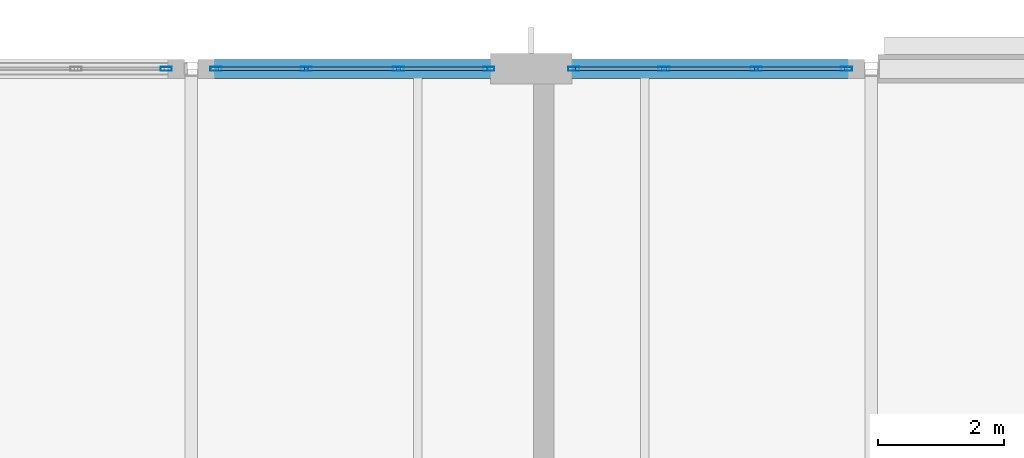
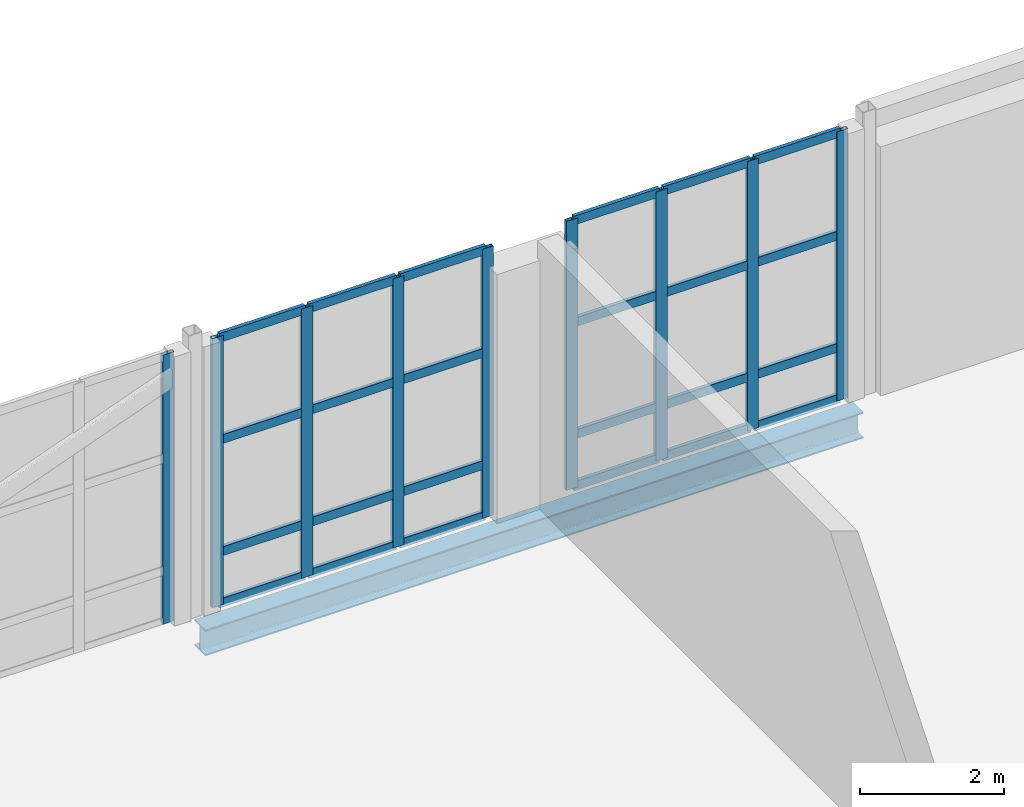
# One storey, part 49 of 86: 33 members, 1 beam, 3 elements without a shape of their own.
"""IFC4 building model written with IfcOpenShell, lengths in metres."""

from ifc_helpers import new_model, si_unit, direction, frame, origin, origin_2d, place, context, subcontext, project, spatial, hollow_rectangle, i_section, extrude, material, layer, layer_set, material_profile, profile_set, type_object, element, aggregate, save


model = new_model("IFC4")

# Units and contexts
model_context = context("Model", 3, precision=1e-05, world=origin(), true_north=direction((0.0, 1.0)))
body_context = subcontext(model_context, "Body", "Model", "MODEL_VIEW")
ifc_project = project(units=[si_unit("LENGTHUNIT", "METRE"), si_unit("AREAUNIT", "SQUARE_METRE"), si_unit("VOLUMEUNIT", "CUBIC_METRE"), si_unit("PLANEANGLEUNIT", "RADIAN"), si_unit("MASSUNIT", "GRAM", prefix="KILO")], contexts=[model_context])

# Site, building, storey
site_placement = place(None, origin())
site = spatial("IfcSite", under=ifc_project, at=site_placement, CompositionType="ELEMENT")
building_placement = place(site_placement, origin())
building = spatial("IfcBuilding", under=site, at=building_placement, Name="Tasgan Crest Museum", CompositionType="ELEMENT")
storey_placement = place(building_placement, frame((0.0, 0.0, 24.0)))
storey = spatial("IfcBuildingStorey", under=building, at=storey_placement, Name="L04", CompositionType="ELEMENT", Elevation=24.0)

# Beam
ifc_material_1 = material(Name="Steel S355J2", Category="steel")
ifc_material_profile_1 = material_profile(ifc_material_1, i_section(OverallWidth=0.300048828125, OverallDepth=0.43994140625, WebThickness=0.011474609375, FlangeThickness=0.02099609375, FilletRadius=0.027099609375, at=origin_2d()), Name="HEA 450")
ifc_profile_set_1 = profile_set([ifc_material_profile_1], Name="Steel S355J2")
beam_type = type_object("IfcBeamType", Name="BM-G-HEA450", PredefinedType="BEAM", material=ifc_profile_set_1)
beam_placement = place(storey_placement, frame((32.52587890625, 112.0, -0.4599609375), z_axis=(1.0, 0.0, 0.0), x_axis=(0.0, 1.0, 0.0)))
element("IfcBeam", 1, at=beam_placement, inside=storey, type_object=beam_type, Name="Girder L04 M 32.4-43.2", PredefinedType="BEAM", context=body_context, shape_type="SweptSolid", body=[
    extrude(i_section(OverallWidth=0.300048828125, OverallDepth=0.43994140625, WebThickness=0.011474609375, FlangeThickness=0.02099609375, FilletRadius=0.027099609375, at=origin_2d()), origin(), (0.0, 0.0, 1.0), 10.548095703125),
])

# Curtain wall, members
ifc_material_2 = material(Name="Triple-Glazed Aluminium Curtain Wall", Category="aluminium")
ifc_layer = layer(ifc_material_2, 0.179931640625, Name="CW-GAL-X-48")
ifc_layer_set = layer_set([ifc_layer], Name="Triple-Glazed Aluminium Curtain Wall")
curtain_wall_type = type_object("IfcCurtainWallType", Name="CW-GAL-X-48", PredefinedType="NOTDEFINED", material=ifc_layer_set)
curtain_wall_1_placement = place(storey_placement, origin())
curtain_wall_1 = element("IfcCurtainWall", 2, at=curtain_wall_1_placement, inside=storey, type_object=curtain_wall_type, Name="Curtain wall L04 165", PredefinedType="NOTDEFINED")
ifc_material_3 = material(Name="Anodised Aluminium", Category="aluminium")
ifc_material_profile_2 = material_profile(ifc_material_3, hollow_rectangle(XDim=0.06494140625, YDim=0.179931640625, WallThickness=0.0048828125, at=origin_2d()), Name="ALU MULLION 180x65x5")
ifc_profile_set_2 = profile_set([ifc_material_profile_2], Name="Anodised Aluminium")
member_type_1 = type_object("IfcMemberType", Name="CW-MULLION-180", PredefinedType="MULLION", material=ifc_profile_set_2)
member_1_placement = place(storey_placement, frame((42.804931640625, 112.0, 0.0), z_axis=(0.0, 0.0, 1.0), x_axis=(0.0, -1.0, 0.0)))
member_1 = element("IfcMember", 3, at=member_1_placement, type_object=member_type_1, Name="CW13 mullion 1", PredefinedType="MULLION", context=body_context, shape_type="SweptSolid", body=[
    extrude(hollow_rectangle(XDim=0.06494140625, YDim=0.179931640625, WallThickness=0.0048828125, at=origin_2d()), origin(), (0.0, 0.0, 1.0), 4.56005859375),
])
member_2_placement = place(storey_placement, frame((41.37158203125, 112.0, 0.0), z_axis=(0.0, 0.0, 1.0), x_axis=(0.0, -1.0, 0.0)))
member_2 = element("IfcMember", 4, at=member_2_placement, type_object=member_type_1, Name="CW13 mullion 2", PredefinedType="MULLION", context=body_context, shape_type="SweptSolid", body=[
    extrude(hollow_rectangle(XDim=0.06494140625, YDim=0.179931640625, WallThickness=0.0048828125, at=origin_2d()), origin(), (0.0, 0.0, 1.0), 4.56005859375),
])
member_3_placement = place(storey_placement, frame((39.908447265625, 112.0, 0.0), z_axis=(0.0, 0.0, 1.0), x_axis=(0.0, -1.0, 0.0)))
member_3 = element("IfcMember", 5, at=member_3_placement, type_object=member_type_1, Name="CW13 mullion 3", PredefinedType="MULLION", context=body_context, shape_type="SweptSolid", body=[
    extrude(hollow_rectangle(XDim=0.06494140625, YDim=0.179931640625, WallThickness=0.0048828125, at=origin_2d()), origin(), (0.0, 0.0, 1.0), 4.56005859375),
])
member_4_placement = place(storey_placement, frame((38.47509765625, 112.0, 0.0), z_axis=(0.0, 0.0, 1.0), x_axis=(0.0, -1.0, 0.0)))
member_4 = element("IfcMember", 6, at=member_4_placement, type_object=member_type_1, Name="CW13 mullion 4", PredefinedType="MULLION", context=body_context, shape_type="SweptSolid", body=[
    extrude(hollow_rectangle(XDim=0.06494140625, YDim=0.179931640625, WallThickness=0.0048828125, at=origin_2d()), origin(), (0.0, 0.0, 1.0), 4.56005859375),
])

curtain_wall_2_placement = place(storey_placement, origin())
curtain_wall_2 = element("IfcCurtainWall", 7, at=curtain_wall_2_placement, inside=storey, type_object=curtain_wall_type, Name="Curtain wall L04 166", PredefinedType="NOTDEFINED")
member_5_placement = place(storey_placement, frame((37.125, 112.0, 0.0), z_axis=(0.0, 0.0, 1.0), x_axis=(0.0, -1.0, 0.0)))
member_5 = element("IfcMember", 8, at=member_5_placement, type_object=member_type_1, Name="CW13 mullion 1", PredefinedType="MULLION", context=body_context, shape_type="SweptSolid", body=[
    extrude(hollow_rectangle(XDim=0.06494140625, YDim=0.179931640625, WallThickness=0.0048828125, at=origin_2d()), origin(), (0.0, 0.0, 1.0), 4.56005859375),
])
member_6_placement = place(storey_placement, frame((35.691650390625, 112.0, 0.0), z_axis=(0.0, 0.0, 1.0), x_axis=(0.0, -1.0, 0.0)))
member_6 = element("IfcMember", 9, at=member_6_placement, type_object=member_type_1, Name="CW13 mullion 2", PredefinedType="MULLION", context=body_context, shape_type="SweptSolid", body=[
    extrude(hollow_rectangle(XDim=0.06494140625, YDim=0.179931640625, WallThickness=0.0048828125, at=origin_2d()), origin(), (0.0, 0.0, 1.0), 4.56005859375),
])
member_7_placement = place(storey_placement, frame((34.228271484375, 112.0, 0.0), z_axis=(0.0, 0.0, 1.0), x_axis=(0.0, -1.0, 0.0)))
member_7 = element("IfcMember", 10, at=member_7_placement, type_object=member_type_1, Name="CW13 mullion 3", PredefinedType="MULLION", context=body_context, shape_type="SweptSolid", body=[
    extrude(hollow_rectangle(XDim=0.06494140625, YDim=0.179931640625, WallThickness=0.0048828125, at=origin_2d()), origin(), (0.0, 0.0, 1.0), 4.56005859375),
])
member_8_placement = place(storey_placement, frame((32.794921875, 112.0, 0.0), z_axis=(0.0, 0.0, 1.0), x_axis=(0.0, -1.0, 0.0)))
member_8 = element("IfcMember", 11, at=member_8_placement, type_object=member_type_1, Name="CW13 mullion 4", PredefinedType="MULLION", context=body_context, shape_type="SweptSolid", body=[
    extrude(hollow_rectangle(XDim=0.06494140625, YDim=0.179931640625, WallThickness=0.0048828125, at=origin_2d()), origin(), (0.0, 0.0, 1.0), 4.56005859375),
])

# Curtain wall, member
curtain_wall_3_placement = place(storey_placement, origin())
curtain_wall_3 = element("IfcCurtainWall", 12, at=curtain_wall_3_placement, inside=storey, type_object=curtain_wall_type, Name="Curtain wall L04 167", PredefinedType="NOTDEFINED")
member_9_placement = place(storey_placement, frame((32.0048828125, 112.0, 0.0), z_axis=(0.0, 0.0, 1.0), x_axis=(0.0, -1.0, 0.0)))
member_9 = element("IfcMember", 13, at=member_9_placement, type_object=member_type_1, Name="CW13 mullion 1", PredefinedType="MULLION", context=body_context, shape_type="SweptSolid", body=[
    extrude(hollow_rectangle(XDim=0.06494140625, YDim=0.179931640625, WallThickness=0.0048828125, at=origin_2d()), origin(), (0.0, 0.0, 1.0), 4.56005859375),
])
aggregate(curtain_wall_3, [member_9])

# Member
ifc_material_4 = material(Name="Anodised Aluminium", Category="aluminium")
ifc_material_profile_3 = material_profile(ifc_material_4, hollow_rectangle(XDim=0.06005859375, YDim=0.14990234375, WallThickness=0.0048828125, at=origin_2d()), Name="ALU TRANSOM 150x60x5")
ifc_profile_set_3 = profile_set([ifc_material_profile_3], Name="Anodised Aluminium")
member_type_2 = type_object("IfcMemberType", Name="CW-TRANSOM-150", PredefinedType="USERDEFINED", material=ifc_profile_set_3)
member_10_placement = place(storey_placement, frame((42.77490234375, 112.0, 0.030029296875), z_axis=(-1.0, 0.0, 0.0), x_axis=(0.0, -1.0, 0.0)))
member_10 = element("IfcMember", 14, at=member_10_placement, type_object=member_type_2, Name="CW13 transom 1.1", ObjectType="TRANSOM", PredefinedType="USERDEFINED", context=body_context, shape_type="SweptSolid", body=[
    extrude(hollow_rectangle(XDim=0.06005859375, YDim=0.14990234375, WallThickness=0.0048828125, at=origin_2d()), origin(), (0.0, 0.0, 1.0), 1.373291015625),
])

member_11_placement = place(storey_placement, frame((42.77490234375, 112.0, 0.89990234375), z_axis=(-1.0, 0.0, 0.0), x_axis=(0.0, -1.0, 0.0)))
member_11 = element("IfcMember", 15, at=member_11_placement, type_object=member_type_2, Name="CW13 transom 1.2", ObjectType="TRANSOM", PredefinedType="USERDEFINED", context=body_context, shape_type="SweptSolid", body=[
    extrude(hollow_rectangle(XDim=0.06005859375, YDim=0.14990234375, WallThickness=0.0048828125, at=origin_2d()), origin(), (0.0, 0.0, 1.0), 1.373291015625),
])

member_12_placement = place(storey_placement, frame((42.77490234375, 112.0, 2.800048828125), z_axis=(-1.0, 0.0, 0.0), x_axis=(0.0, -1.0, 0.0)))
member_12 = element("IfcMember", 16, at=member_12_placement, type_object=member_type_2, Name="CW13 transom 1.3", ObjectType="TRANSOM", PredefinedType="USERDEFINED", context=body_context, shape_type="SweptSolid", body=[
    extrude(hollow_rectangle(XDim=0.06005859375, YDim=0.14990234375, WallThickness=0.0048828125, at=origin_2d()), origin(), (0.0, 0.0, 1.0), 1.373291015625),
])

member_13_placement = place(storey_placement, frame((42.77490234375, 112.0, 4.530029296875), z_axis=(-1.0, 0.0, 0.0), x_axis=(0.0, -1.0, 0.0)))
member_13 = element("IfcMember", 17, at=member_13_placement, type_object=member_type_2, Name="CW13 transom 1.4", ObjectType="TRANSOM", PredefinedType="USERDEFINED", context=body_context, shape_type="SweptSolid", body=[
    extrude(hollow_rectangle(XDim=0.06005859375, YDim=0.14990234375, WallThickness=0.0048828125, at=origin_2d()), origin(), (0.0, 0.0, 1.0), 1.373291015625),
])

member_14_placement = place(storey_placement, frame((41.341552734375, 112.0, 0.030029296875), z_axis=(-1.0, 0.0, 0.0), x_axis=(0.0, -1.0, 0.0)))
member_14 = element("IfcMember", 18, at=member_14_placement, type_object=member_type_2, Name="CW13 transom 2.1", ObjectType="TRANSOM", PredefinedType="USERDEFINED", context=body_context, shape_type="SweptSolid", body=[
    extrude(hollow_rectangle(XDim=0.06005859375, YDim=0.14990234375, WallThickness=0.0048828125, at=origin_2d()), origin(), (0.0, 0.0, 1.0), 1.4033203125),
])

member_15_placement = place(storey_placement, frame((41.341552734375, 112.0, 0.89990234375), z_axis=(-1.0, 0.0, 0.0), x_axis=(0.0, -1.0, 0.0)))
member_15 = element("IfcMember", 19, at=member_15_placement, type_object=member_type_2, Name="CW13 transom 2.2", ObjectType="TRANSOM", PredefinedType="USERDEFINED", context=body_context, shape_type="SweptSolid", body=[
    extrude(hollow_rectangle(XDim=0.06005859375, YDim=0.14990234375, WallThickness=0.0048828125, at=origin_2d()), origin(), (0.0, 0.0, 1.0), 1.4033203125),
])

member_16_placement = place(storey_placement, frame((41.341552734375, 112.0, 2.800048828125), z_axis=(-1.0, 0.0, 0.0), x_axis=(0.0, -1.0, 0.0)))
member_16 = element("IfcMember", 20, at=member_16_placement, type_object=member_type_2, Name="CW13 transom 2.3", ObjectType="TRANSOM", PredefinedType="USERDEFINED", context=body_context, shape_type="SweptSolid", body=[
    extrude(hollow_rectangle(XDim=0.06005859375, YDim=0.14990234375, WallThickness=0.0048828125, at=origin_2d()), origin(), (0.0, 0.0, 1.0), 1.4033203125),
])

member_17_placement = place(storey_placement, frame((41.341552734375, 112.0, 4.530029296875), z_axis=(-1.0, 0.0, 0.0), x_axis=(0.0, -1.0, 0.0)))
member_17 = element("IfcMember", 21, at=member_17_placement, type_object=member_type_2, Name="CW13 transom 2.4", ObjectType="TRANSOM", PredefinedType="USERDEFINED", context=body_context, shape_type="SweptSolid", body=[
    extrude(hollow_rectangle(XDim=0.06005859375, YDim=0.14990234375, WallThickness=0.0048828125, at=origin_2d()), origin(), (0.0, 0.0, 1.0), 1.4033203125),
])

member_18_placement = place(storey_placement, frame((39.87841796875, 112.0, 0.030029296875), z_axis=(-1.0, 0.0, 0.0), x_axis=(0.0, -1.0, 0.0)))
member_18 = element("IfcMember", 22, at=member_18_placement, type_object=member_type_2, Name="CW13 transom 3.1", ObjectType="TRANSOM", PredefinedType="USERDEFINED", context=body_context, shape_type="SweptSolid", body=[
    extrude(hollow_rectangle(XDim=0.06005859375, YDim=0.14990234375, WallThickness=0.0048828125, at=origin_2d()), origin(), (0.0, 0.0, 1.0), 1.37353515625),
])

member_19_placement = place(storey_placement, frame((39.87841796875, 112.0, 0.89990234375), z_axis=(-1.0, 0.0, 0.0), x_axis=(0.0, -1.0, 0.0)))
member_19 = element("IfcMember", 23, at=member_19_placement, type_object=member_type_2, Name="CW13 transom 3.2", ObjectType="TRANSOM", PredefinedType="USERDEFINED", context=body_context, shape_type="SweptSolid", body=[
    extrude(hollow_rectangle(XDim=0.06005859375, YDim=0.14990234375, WallThickness=0.0048828125, at=origin_2d()), origin(), (0.0, 0.0, 1.0), 1.37353515625),
])

member_20_placement = place(storey_placement, frame((39.87841796875, 112.0, 2.800048828125), z_axis=(-1.0, 0.0, 0.0), x_axis=(0.0, -1.0, 0.0)))
member_20 = element("IfcMember", 24, at=member_20_placement, type_object=member_type_2, Name="CW13 transom 3.3", ObjectType="TRANSOM", PredefinedType="USERDEFINED", context=body_context, shape_type="SweptSolid", body=[
    extrude(hollow_rectangle(XDim=0.06005859375, YDim=0.14990234375, WallThickness=0.0048828125, at=origin_2d()), origin(), (0.0, 0.0, 1.0), 1.37353515625),
])

member_21_placement = place(storey_placement, frame((39.87841796875, 112.0, 4.530029296875), z_axis=(-1.0, 0.0, 0.0), x_axis=(0.0, -1.0, 0.0)))
member_21 = element("IfcMember", 25, at=member_21_placement, type_object=member_type_2, Name="CW13 transom 3.4", ObjectType="TRANSOM", PredefinedType="USERDEFINED", context=body_context, shape_type="SweptSolid", body=[
    extrude(hollow_rectangle(XDim=0.06005859375, YDim=0.14990234375, WallThickness=0.0048828125, at=origin_2d()), origin(), (0.0, 0.0, 1.0), 1.37353515625),
])

aggregate(curtain_wall_1, [member_1, member_2, member_3, member_4, member_10, member_11, member_12, member_13, member_14, member_15, member_16, member_17, member_18, member_19, member_20, member_21])

member_22_placement = place(storey_placement, frame((37.094970703125, 112.0, 0.030029296875), z_axis=(-1.0, 0.0, 0.0), x_axis=(0.0, -1.0, 0.0)))
member_22 = element("IfcMember", 26, at=member_22_placement, type_object=member_type_2, Name="CW13 transom 1.1", ObjectType="TRANSOM", PredefinedType="USERDEFINED", context=body_context, shape_type="SweptSolid", body=[
    extrude(hollow_rectangle(XDim=0.06005859375, YDim=0.14990234375, WallThickness=0.0048828125, at=origin_2d()), origin(), (0.0, 0.0, 1.0), 1.373291015625),
])

member_23_placement = place(storey_placement, frame((37.094970703125, 112.0, 0.89990234375), z_axis=(-1.0, 0.0, 0.0), x_axis=(0.0, -1.0, 0.0)))
member_23 = element("IfcMember", 27, at=member_23_placement, type_object=member_type_2, Name="CW13 transom 1.2", ObjectType="TRANSOM", PredefinedType="USERDEFINED", context=body_context, shape_type="SweptSolid", body=[
    extrude(hollow_rectangle(XDim=0.06005859375, YDim=0.14990234375, WallThickness=0.0048828125, at=origin_2d()), origin(), (0.0, 0.0, 1.0), 1.373291015625),
])

member_24_placement = place(storey_placement, frame((37.094970703125, 112.0, 2.800048828125), z_axis=(-1.0, 0.0, 0.0), x_axis=(0.0, -1.0, 0.0)))
member_24 = element("IfcMember", 28, at=member_24_placement, type_object=member_type_2, Name="CW13 transom 1.3", ObjectType="TRANSOM", PredefinedType="USERDEFINED", context=body_context, shape_type="SweptSolid", body=[
    extrude(hollow_rectangle(XDim=0.06005859375, YDim=0.14990234375, WallThickness=0.0048828125, at=origin_2d()), origin(), (0.0, 0.0, 1.0), 1.373291015625),
])

member_25_placement = place(storey_placement, frame((37.094970703125, 112.0, 4.530029296875), z_axis=(-1.0, 0.0, 0.0), x_axis=(0.0, -1.0, 0.0)))
member_25 = element("IfcMember", 29, at=member_25_placement, type_object=member_type_2, Name="CW13 transom 1.4", ObjectType="TRANSOM", PredefinedType="USERDEFINED", context=body_context, shape_type="SweptSolid", body=[
    extrude(hollow_rectangle(XDim=0.06005859375, YDim=0.14990234375, WallThickness=0.0048828125, at=origin_2d()), origin(), (0.0, 0.0, 1.0), 1.373291015625),
])

member_26_placement = place(storey_placement, frame((35.66162109375, 112.0, 0.030029296875), z_axis=(-1.0, 0.0, 0.0), x_axis=(0.0, -1.0, 0.0)))
member_26 = element("IfcMember", 30, at=member_26_placement, type_object=member_type_2, Name="CW13 transom 2.1", ObjectType="TRANSOM", PredefinedType="USERDEFINED", context=body_context, shape_type="SweptSolid", body=[
    extrude(hollow_rectangle(XDim=0.06005859375, YDim=0.14990234375, WallThickness=0.0048828125, at=origin_2d()), origin(), (0.0, 0.0, 1.0), 1.4033203125),
])

member_27_placement = place(storey_placement, frame((35.66162109375, 112.0, 0.89990234375), z_axis=(-1.0, 0.0, 0.0), x_axis=(0.0, -1.0, 0.0)))
member_27 = element("IfcMember", 31, at=member_27_placement, type_object=member_type_2, Name="CW13 transom 2.2", ObjectType="TRANSOM", PredefinedType="USERDEFINED", context=body_context, shape_type="SweptSolid", body=[
    extrude(hollow_rectangle(XDim=0.06005859375, YDim=0.14990234375, WallThickness=0.0048828125, at=origin_2d()), origin(), (0.0, 0.0, 1.0), 1.4033203125),
])

member_28_placement = place(storey_placement, frame((35.66162109375, 112.0, 2.800048828125), z_axis=(-1.0, 0.0, 0.0), x_axis=(0.0, -1.0, 0.0)))
member_28 = element("IfcMember", 32, at=member_28_placement, type_object=member_type_2, Name="CW13 transom 2.3", ObjectType="TRANSOM", PredefinedType="USERDEFINED", context=body_context, shape_type="SweptSolid", body=[
    extrude(hollow_rectangle(XDim=0.06005859375, YDim=0.14990234375, WallThickness=0.0048828125, at=origin_2d()), origin(), (0.0, 0.0, 1.0), 1.4033203125),
])

member_29_placement = place(storey_placement, frame((35.66162109375, 112.0, 4.530029296875), z_axis=(-1.0, 0.0, 0.0), x_axis=(0.0, -1.0, 0.0)))
member_29 = element("IfcMember", 33, at=member_29_placement, type_object=member_type_2, Name="CW13 transom 2.4", ObjectType="TRANSOM", PredefinedType="USERDEFINED", context=body_context, shape_type="SweptSolid", body=[
    extrude(hollow_rectangle(XDim=0.06005859375, YDim=0.14990234375, WallThickness=0.0048828125, at=origin_2d()), origin(), (0.0, 0.0, 1.0), 1.4033203125),
])

member_30_placement = place(storey_placement, frame((34.1982421875, 112.0, 0.030029296875), z_axis=(-1.0, 0.0, 0.0), x_axis=(0.0, -1.0, 0.0)))
member_30 = element("IfcMember", 34, at=member_30_placement, type_object=member_type_2, Name="CW13 transom 3.1", ObjectType="TRANSOM", PredefinedType="USERDEFINED", context=body_context, shape_type="SweptSolid", body=[
    extrude(hollow_rectangle(XDim=0.06005859375, YDim=0.14990234375, WallThickness=0.0048828125, at=origin_2d()), origin(), (0.0, 0.0, 1.0), 1.373291015625),
])

member_31_placement = place(storey_placement, frame((34.1982421875, 112.0, 0.89990234375), z_axis=(-1.0, 0.0, 0.0), x_axis=(0.0, -1.0, 0.0)))
member_31 = element("IfcMember", 35, at=member_31_placement, type_object=member_type_2, Name="CW13 transom 3.2", ObjectType="TRANSOM", PredefinedType="USERDEFINED", context=body_context, shape_type="SweptSolid", body=[
    extrude(hollow_rectangle(XDim=0.06005859375, YDim=0.14990234375, WallThickness=0.0048828125, at=origin_2d()), origin(), (0.0, 0.0, 1.0), 1.373291015625),
])

member_32_placement = place(storey_placement, frame((34.1982421875, 112.0, 2.800048828125), z_axis=(-1.0, 0.0, 0.0), x_axis=(0.0, -1.0, 0.0)))
member_32 = element("IfcMember", 36, at=member_32_placement, type_object=member_type_2, Name="CW13 transom 3.3", ObjectType="TRANSOM", PredefinedType="USERDEFINED", context=body_context, shape_type="SweptSolid", body=[
    extrude(hollow_rectangle(XDim=0.06005859375, YDim=0.14990234375, WallThickness=0.0048828125, at=origin_2d()), origin(), (0.0, 0.0, 1.0), 1.373291015625),
])

member_33_placement = place(storey_placement, frame((34.1982421875, 112.0, 4.530029296875), z_axis=(-1.0, 0.0, 0.0), x_axis=(0.0, -1.0, 0.0)))
member_33 = element("IfcMember", 37, at=member_33_placement, type_object=member_type_2, Name="CW13 transom 3.4", ObjectType="TRANSOM", PredefinedType="USERDEFINED", context=body_context, shape_type="SweptSolid", body=[
    extrude(hollow_rectangle(XDim=0.06005859375, YDim=0.14990234375, WallThickness=0.0048828125, at=origin_2d()), origin(), (0.0, 0.0, 1.0), 1.373291015625),
])

aggregate(curtain_wall_2, [member_5, member_6, member_7, member_8, member_22, member_23, member_24, member_25, member_26, member_27, member_28, member_29, member_30, member_31, member_32, member_33])

save(model, "model.ifc")
